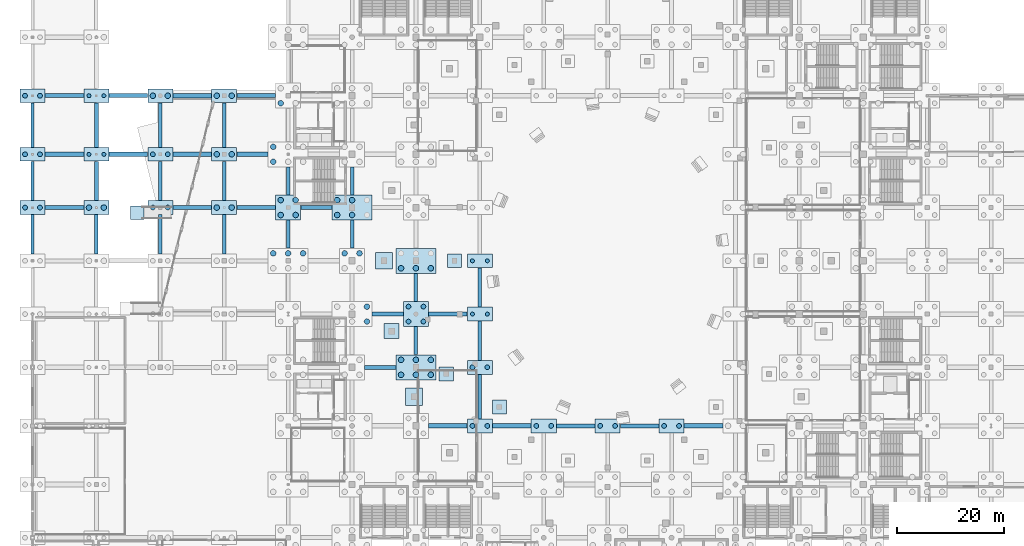
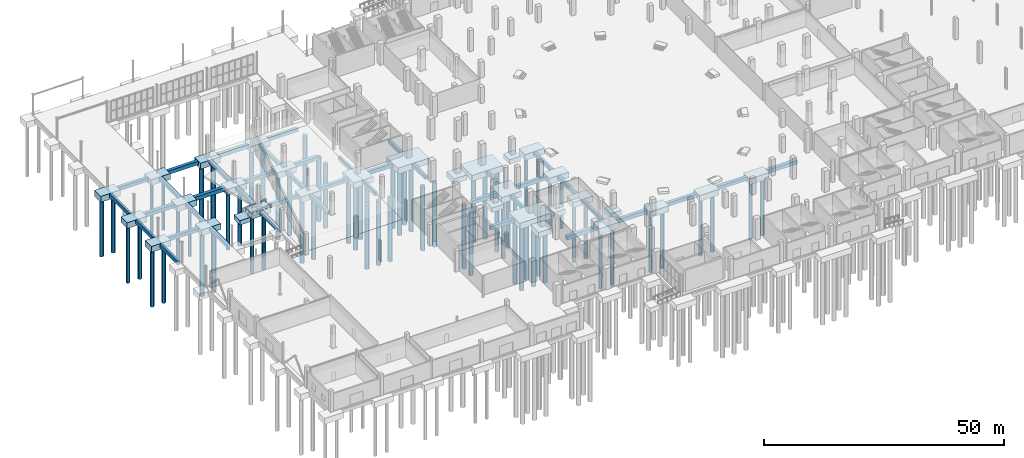
# One storey, part 3 of 70: 72 footings, 69 piles.
"""IFC4 building model written with IfcOpenShell, lengths in metres."""

import ifcopenshell
import ifcopenshell.guid

model = None  # the IFC model being written
_history = None  # IfcOwnerHistory: only IFC2X3 demands one
_inside = {}  # id of a spatial element -> (the spatial element, [elements in it])
_under = {}  # id of a project, library or spatial element -> (it, [spatial elements below it])
_declared = {}  # id of a project -> (the project, [libraries it declares])
_typed = {}  # id of a type object -> (the type object, [elements of that type])
_made_of = {}  # id of a material, layer set ... -> (it, [elements and type objects made of it])


def new_model(schema):
    """Start an empty IFC model of exactly this schema.

    Asked for "IFC4X3", IfcOpenShell would pick the latest addendum, in which some entities
    have other attributes; the version numbers below select the first issue.
    IFC2X3 requires an IfcOwnerHistory on every rooted entity: one is made here for all.
    """
    global model, _history
    if schema == "IFC4X3":
        model = ifcopenshell.file(schema_version=(4, 3, 0, 0))
    else:
        model = ifcopenshell.file(schema=schema)
    _inside.clear()
    _under.clear()
    _declared.clear()
    _typed.clear()
    _made_of.clear()
    _history = None
    if model.schema == "IFC2X3":
        org = make("IfcOrganization", Name="unknown")
        user = make(
            "IfcPersonAndOrganization",
            ThePerson=make("IfcPerson", FamilyName="unknown"),
            TheOrganization=org,
        )
        app = make(
            "IfcApplication",
            ApplicationDeveloper=org,
            Version="unknown",
            ApplicationFullName="unknown",
            ApplicationIdentifier="unknown",
        )
        _history = make(
            "IfcOwnerHistory",
            OwningUser=user,
            OwningApplication=app,
            ChangeAction="ADDED",
            CreationDate=0,
        )
    return model


def make(cls, **values):
    """One entity of the class cls with the attributes given. An attribute that is None is left unset."""
    return model.create_entity(
        cls, **{name: value for name, value in values.items() if value is not None}
    )


def rooted(cls, **values):
    """An entity with a GlobalId (a new one), such as an element, a storey or a relation."""
    return make(cls, GlobalId=ifcopenshell.guid.new(), OwnerHistory=_history, **values)


def si_unit(unit_type, name, prefix=None):
    """IfcSIUnit, for example si_unit("LENGTHUNIT", "METRE", prefix="MILLI")."""
    return make("IfcSIUnit", UnitType=unit_type, Prefix=prefix, Name=name)


def assignment(units):
    """IfcUnitAssignment: the units of a project."""
    return None if units is None else make("IfcUnitAssignment", Units=units)


def point(xyz):
    """IfcCartesianPoint."""
    return None if xyz is None else make("IfcCartesianPoint", Coordinates=xyz)


def direction(xyz):
    """IfcDirection."""
    return None if xyz is None else make("IfcDirection", DirectionRatios=xyz)


def frame(location, z_axis=None, x_axis=None):
    """IfcAxis2Placement3D, a coordinate frame: its origin and axes. An axis left out is left unset."""
    return make(
        "IfcAxis2Placement3D",
        Location=point(location),
        Axis=direction(z_axis),
        RefDirection=direction(x_axis),
    )


def frame_2d(location, x_axis=None):
    """IfcAxis2Placement2D, a coordinate frame in the plane: its origin and x axis."""
    return make(
        "IfcAxis2Placement2D", Location=point(location), RefDirection=direction(x_axis)
    )


def origin():
    """The frame at (0, 0, 0) with its axes left unset."""
    return frame((0.0, 0.0, 0.0))


def origin_2d():
    """The frame at (0, 0) in the plane with its x axis left unset."""
    return frame_2d((0.0, 0.0))


def place(relative_to, where):
    """IfcLocalPlacement: puts the frame where relative to a parent placement (None: the world)."""
    return make(
        "IfcLocalPlacement", PlacementRelTo=relative_to, RelativePlacement=where
    )


def context(
    kind, dimensions, precision=None, world=None, true_north=None, identifier=None
):
    """IfcGeometricRepresentationContext, for example the 3D "Model" context."""
    return make(
        "IfcGeometricRepresentationContext",
        ContextIdentifier=identifier,
        ContextType=kind,
        CoordinateSpaceDimension=dimensions,
        Precision=precision,
        WorldCoordinateSystem=world,
        TrueNorth=true_north,
    )


def subcontext(parent, identifier, kind, view, scale=None):
    """IfcGeometricRepresentationSubContext, for example "Body" below "Model"."""
    return make(
        "IfcGeometricRepresentationSubContext",
        ContextIdentifier=identifier,
        ContextType=kind,
        ParentContext=parent,
        TargetScale=scale,
        TargetView=view,
    )


def project(units=None, contexts=None):
    """IfcProject with its units and contexts."""
    return rooted(
        "IfcProject",
        Name="project",
        RepresentationContexts=contexts,
        UnitsInContext=assignment(units),
    )


def spatial(cls, under=None, at=None, **own):
    """A site, building, storey or space (cls), placed at a placement, below another one or the project."""
    s = rooted(cls, ObjectPlacement=at, **own)
    if under is not None:
        _under.setdefault(under.id(), (under, []))[1].append(s)
    return s


def profile(cls, at=None, kind="AREA", **sizes):
    """A parametric profile (cls). Its sizes go by their IFC names, for example OverallWidth=200.0."""
    return make(cls, ProfileType=kind, Position=at, **sizes)


def rectangle(**sizes):
    """IfcRectangleProfileDef."""
    return profile("IfcRectangleProfileDef", **sizes)


def circle(**sizes):
    """IfcCircleProfileDef."""
    return profile("IfcCircleProfileDef", **sizes)


def extrude(swept, where, along, depth):
    """IfcExtrudedAreaSolid: the profile swept, set in the frame where, extruded along a direction by depth."""
    return make(
        "IfcExtrudedAreaSolid",
        SweptArea=swept,
        Position=where,
        ExtrudedDirection=direction(along),
        Depth=depth,
    )


def shape(context_of_items, identifier, shape_type, items):
    """IfcShapeRepresentation: the items that make up one representation, for example the "Body"."""
    return make(
        "IfcShapeRepresentation",
        ContextOfItems=context_of_items,
        RepresentationIdentifier=identifier,
        RepresentationType=shape_type,
        Items=items,
    )


def material(Name=None, Category=None):
    """IfcMaterial."""
    return make("IfcMaterial", Name=Name, Category=Category)


def layer(
    of_material, thickness, ventilated=None, Name=None, Category=None, Priority=None
):
    """IfcMaterialLayer: one layer of a wall or slab, of a material (None: an air gap)."""
    return make(
        "IfcMaterialLayer",
        Material=of_material,
        LayerThickness=thickness,
        IsVentilated=ventilated,
        Name=Name,
        Category=Category,
        Priority=Priority,
    )


def layer_set(layers, Name=None):
    """IfcMaterialLayerSet."""
    return make("IfcMaterialLayerSet", MaterialLayers=layers, LayerSetName=Name)


def material_profile(
    of_material, cross_section, Name=None, Category=None, Priority=None
):
    """IfcMaterialProfile: a cross section and its material."""
    return make(
        "IfcMaterialProfile",
        Name=Name,
        Material=of_material,
        Profile=cross_section,
        Priority=Priority,
        Category=Category,
    )


def profile_set(profiles, Name=None, composite=None):
    """IfcMaterialProfileSet."""
    return make(
        "IfcMaterialProfileSet",
        Name=Name,
        MaterialProfiles=profiles,
        CompositeProfile=composite,
    )


def made_of(thing, what):
    """Note that an element or type object is made of a material, layer set ...; save() writes the relation."""
    if what is not None:
        _made_of.setdefault(what.id(), (what, []))[1].append(thing)
    return thing


def type_object(cls, material=None, **own):
    """A type object (cls), such as IfcWallType, which elements share."""
    return made_of(rooted(cls, **own), material)


def element(
    cls,
    number,
    at=None,
    inside=None,
    cuts=None,
    type_object=None,
    material=None,
    context=None,
    identifier="Body",
    shape_type=None,
    held_by="IfcProductDefinitionShape",
    body=None,
    shapes=None,
    **own,
):
    """One element of the class cls, such as IfcWall. Its Tag is "e" and its number.

    at: its placement. inside: the storey or other place that contains it. cuts: it is an
    opening in that element (IfcRelVoidsElement). A single representation is given by context,
    identifier, shape_type and body (its items); several are given by shapes. held_by: the class
    of the entity that holds the representations. save() writes the other relations.
    """
    e = rooted(cls, Tag="e%d" % number, ObjectPlacement=at, **own)
    if body is not None:
        shapes = [shape(context, identifier, shape_type, body)]
    if shapes is not None:
        e.Representation = make(held_by, Representations=shapes)
    if inside is not None:
        _inside.setdefault(inside.id(), (inside, []))[1].append(e)
    if cuts is not None:
        rooted(
            "IfcRelVoidsElement", RelatingBuildingElement=cuts, RelatedOpeningElement=e
        )
    if type_object is not None:
        _typed.setdefault(type_object.id(), (type_object, []))[1].append(e)
    return made_of(e, material)


def aggregate(whole, parts):
    """IfcRelAggregates: a whole, such as a stair, and the parts it consists of."""
    return rooted("IfcRelAggregates", RelatingObject=whole, RelatedObjects=parts)


def save(model, path):
    """Write the relations noted so far, then the file.

    IfcRelAggregates (storeys below a building ...), IfcRelContainedInSpatialStructure (elements
    in a storey), IfcRelDefinesByType, IfcRelAssociatesMaterial and IfcRelDeclares: one each for
    every whole, place, type object, material and project.
    """
    for whole, parts in _under.values():
        aggregate(whole, parts)
    for where, things in _inside.values():
        rooted(
            "IfcRelContainedInSpatialStructure",
            RelatedElements=things,
            RelatingStructure=where,
        )
    for kind, things in _typed.values():
        rooted("IfcRelDefinesByType", RelatedObjects=things, RelatingType=kind)
    for what, things in _made_of.values():
        rooted("IfcRelAssociatesMaterial", RelatedObjects=things, RelatingMaterial=what)
    for by, libraries in _declared.values():
        rooted("IfcRelDeclares", RelatingContext=by, RelatedDefinitions=libraries)
    model.write(path)


model = new_model("IFC4")

# Units and contexts
model_context = context("Model", 3, precision=1e-05, world=origin(), true_north=direction((0.0, 1.0)))
body_context = subcontext(model_context, "Body", "Model", "MODEL_VIEW")
ifc_project = project(units=[si_unit("LENGTHUNIT", "METRE"), si_unit("AREAUNIT", "SQUARE_METRE"), si_unit("VOLUMEUNIT", "CUBIC_METRE"), si_unit("PLANEANGLEUNIT", "RADIAN"), si_unit("MASSUNIT", "GRAM", prefix="KILO")], contexts=[model_context])

# Site, building, storey
site_placement = place(None, origin())
site = spatial("IfcSite", under=ifc_project, at=site_placement, CompositionType="ELEMENT")
building_placement = place(site_placement, origin())
building = spatial("IfcBuilding", under=site, at=building_placement, Name="Brinegate Civic Arena", CompositionType="ELEMENT")
storey_placement = place(building_placement, origin())
storey = spatial("IfcBuildingStorey", under=building, at=storey_placement, Name="L00", CompositionType="ELEMENT", Elevation=0.0)

# Footings
ifc_material = material(Name="Concrete C40/50", Category="concrete")
ifc_layer_1 = layer(ifc_material, 1.5, Name="Concrete C40/50")
ifc_layer_set_1 = layer_set([ifc_layer_1], Name="Concrete C40/50")
footing_type_1 = type_object("IfcFootingType", Name="CAP-2PILE-3800", PredefinedType="PILE_CAP", material=ifc_layer_set_1)
for number, where, z_axis, x_axis, name in (
    (1, (0.0, 72.0, -1.800048828125), (0.0, 0.0, 1.0), (1.0, 0.0, 0.0), "Pile Cap CAP-008 (1-H)"),
    (2, (0.0, 82.0, -1.800048828125), (0.0, 0.0, 1.0), (1.0, 0.0, 0.0), "Pile Cap CAP-009 (1-J)"),
    (3, (0.0, 93.0, -1.800048828125), (0.0, 0.0, 1.0), (1.0, 0.0, 0.0), "Pile Cap CAP-010 (1-K)"),
    (4, (12.0, 72.0, -1.800048828125), (0.0, 0.0, 1.0), (1.0, 0.0, 0.0), "Pile Cap CAP-021 (2-H)"),
    (5, (12.0, 82.0, -1.800048828125), (0.0, 0.0, 1.0), (1.0, 0.0, 0.0), "Pile Cap CAP-022 (2-J)"),
    (6, (12.0, 93.0, -1.800048828125), (0.0, 0.0, 1.0), (1.0, 0.0, 0.0), "Pile Cap CAP-023 (2-K)"),
    (7, (24.0, 72.0, -1.800048828125), (0.0, 0.0, 1.0), (1.0, 0.0, 0.0), "Pile Cap CAP-032 (3-H)"),
    (8, (24.0, 82.0, -1.800048828125), (0.0, 0.0, 1.0), (1.0, 0.0, 0.0), "Pile Cap CAP-033 (3-J)"),
    (9, (24.0, 93.0, -1.800048828125), (0.0, 0.0, 1.0), (1.0, 0.0, 0.0), "Pile Cap CAP-034 (3-K)"),
    (10, (36.0, 72.0, -1.800048828125), (0.0, 0.0, 1.0), (1.0, 0.0, 0.0), "Pile Cap CAP-042 (4-H)"),
    (11, (36.0, 82.0, -1.800048828125), (0.0, 0.0, 1.0), (1.0, 0.0, 0.0), "Pile Cap CAP-043 (4-J)"),
    (12, (36.0, 93.0, -1.800048828125), (0.0, 0.0, 1.0), (1.0, 0.0, 0.0), "Pile Cap CAP-044 (4-K)"),
    (13, (84.0, 31.0, -1.800048828125), (0.0, 0.0, 1.0), (1.0, 0.0, 0.0), "Pile Cap CAP-087 (8-D)"),
    (14, (84.0, 42.0, -1.800048828125), (0.0, 0.0, 1.0), (1.0, 0.0, 0.0), "Pile Cap CAP-088 (8-E)"),
    (15, (84.0, 52.0, -1.800048828125), (0.0, 0.0, 1.0), (1.0, 0.0, 0.0), "Pile Cap CAP-089 (8-F)"),
    (16, (84.0, 62.0, -1.800048828125), (0.0, 0.0, 1.0), (1.0, 0.0, 0.0), "Pile Cap CAP-090 (8-G)"),
    (17, (96.0, 31.0, -1.800048828125), (0.0, 0.0, 1.0), (1.0, 0.0, 0.0), "Pile Cap CAP-100 (9-D)"),
    (18, (108.0, 31.0, -1.800048828125), (0.0, 0.0, 1.0), (1.0, 0.0, 0.0), "Pile Cap CAP-108 (10-D)"),
    (19, (120.0, 31.0, -1.800048828125), (0.0, 0.0, 1.0), (1.0, 0.0, 0.0), "Pile Cap CAP-116 (11-D)"),
):
    element("IfcFooting", number, at=place(storey_placement, frame(where, z_axis=z_axis, x_axis=x_axis)), inside=storey, type_object=footing_type_1, Name=name, PredefinedType="PILE_CAP", context=body_context, shape_type="SweptSolid", body=[
        extrude(rectangle(XDim=4.699951171875, YDim=2.60009765625, at=origin_2d()), origin(), (0.0, 0.0, 1.0), 1.5),
    ])
ifc_layer_2 = layer(ifc_material, 1.5, Name="Concrete C40/50")
ifc_layer_set_2 = layer_set([ifc_layer_2], Name="Concrete C40/50")
footing_type_2 = type_object("IfcFootingType", Name="CAP-4PILE-3800", PredefinedType="PILE_CAP", material=ifc_layer_set_2)
for number, where, z_axis, x_axis, name in (
    (20, (48.0, 72.0, -1.800048828125), (0.0, 0.0, 1.0), (1.0, 0.0, 0.0), "Pile Cap CAP-054 (5-H)"),
    (21, (72.0, 52.0, -1.800048828125), (0.0, 0.0, 1.0), (1.0, 0.0, 0.0), "Pile Cap CAP-077 (7-F)"),
):
    element("IfcFooting", number, at=place(storey_placement, frame(where, z_axis=z_axis, x_axis=x_axis)), inside=storey, type_object=footing_type_2, Name=name, PredefinedType="PILE_CAP", context=body_context, shape_type="SweptSolid", body=[
        extrude(rectangle(XDim=4.699951171875, YDim=4.699951171875, at=origin_2d()), origin(), (0.0, 0.0, 1.0), 1.5),
    ])
ifc_layer_3 = layer(ifc_material, 1.5, Name="Concrete C40/50")
ifc_layer_set_3 = layer_set([ifc_layer_3], Name="Concrete C40/50")
footing_type_3 = type_object("IfcFootingType", Name="CAP-6PILE-5400", PredefinedType="PILE_CAP", material=ifc_layer_set_3)
for number, where, z_axis, x_axis, name in (
    (22, (60.0, 72.0, -1.800048828125), (0.0, 0.0, 1.0), (1.0, 0.0, 0.0), "Pile Cap CAP-067 (6-H)"),
    (23, (72.0, 42.0, -1.800048828125), (0.0, 0.0, 1.0), (1.0, 0.0, 0.0), "Pile Cap CAP-076 (7-E)"),
    (24, (72.0, 62.0, -1.800048828125), (0.0, 0.0, 1.0), (1.0, 0.0, 0.0), "Pile Cap CAP-078 (7-G)"),
):
    element("IfcFooting", number, at=place(storey_placement, frame(where, z_axis=z_axis, x_axis=x_axis)), inside=storey, type_object=footing_type_3, Name=name, PredefinedType="PILE_CAP", context=body_context, shape_type="SweptSolid", body=[
        extrude(rectangle(XDim=7.5, YDim=4.699951171875, at=origin_2d()), origin(), (0.0, 0.0, 1.0), 1.5),
    ])
ifc_layer_4 = layer(ifc_material, 1.14990234375, Name="Concrete C40/50")
ifc_layer_set_4 = layer_set([ifc_layer_4], Name="Concrete C40/50")
footing_type_4 = type_object("IfcFootingType", Name="PAD-FOOT-2500", PredefinedType="PAD_FOOTING", material=ifc_layer_set_4)
footing_1_placement = place(storey_placement, frame((19.64990234375, 71.050048828125, -1.598876953125), z_axis=(0.0, 0.0, 1.0), x_axis=(1.0, 0.0, 0.0)))
element("IfcFooting", 25, at=footing_1_placement, inside=storey, type_object=footing_type_4, Name="Ramp Toe Pad Footing PAD-034", PredefinedType="PAD_FOOTING", context=body_context, shape_type="SweptSolid", body=[
    extrude(rectangle(XDim=2.5, YDim=2.5, at=origin_2d()), origin(), (0.0, 0.0, 1.0), 1.14990234375),
])
ifc_layer_5 = layer(ifc_material, 1.199951171875, Name="Concrete C40/50")
ifc_layer_set_5 = layer_set([ifc_layer_5], Name="Concrete C40/50")
footing_type_5 = type_object("IfcFootingType", Name="PAD-FOOT-2600", PredefinedType="PAD_FOOTING", material=ifc_layer_set_5)
for number, where, z_axis, x_axis, name in (
    (26, (79.25, 62.0, -1.5), (0.0, 0.0, 1.0), (1.0, 0.0, 0.0), "Pad Footing PAD-006"),
    (27, (87.6708984375, 34.555908203125, -1.5), (0.0, 0.0, 1.0), (1.0, 0.0, 0.0), "Pad Footing PAD-007"),
):
    element("IfcFooting", number, at=place(storey_placement, frame(where, z_axis=z_axis, x_axis=x_axis)), inside=storey, type_object=footing_type_5, Name=name, PredefinedType="PAD_FOOTING", context=body_context, shape_type="SweptSolid", body=[
        extrude(rectangle(XDim=2.60009765625, YDim=2.60009765625, at=origin_2d()), origin(), (0.0, 0.0, 1.0), 1.199951171875),
    ])
ifc_layer_6 = layer(ifc_material, 1.199951171875, Name="Concrete C40/50")
ifc_layer_set_6 = layer_set([ifc_layer_6], Name="Concrete C40/50")
footing_type_6 = type_object("IfcFootingType", Name="PAD-FOOT-2700", PredefinedType="PAD_FOOTING", material=ifc_layer_set_6)
footing_2_placement = place(storey_placement, frame((77.68896484375, 40.75, -1.5), z_axis=(0.0, 0.0, 1.0), x_axis=(1.0, 0.0, 0.0)))
element("IfcFooting", 28, at=footing_2_placement, inside=storey, type_object=footing_type_6, Name="Pad Footing PAD-015", PredefinedType="PAD_FOOTING", context=body_context, shape_type="SweptSolid", body=[
    extrude(rectangle(XDim=2.699951171875, YDim=2.699951171875, at=origin_2d()), origin(), (0.0, 0.0, 1.0), 1.199951171875),
])
ifc_layer_7 = layer(ifc_material, 1.199951171875, Name="Concrete C40/50")
ifc_layer_set_7 = layer_set([ifc_layer_7], Name="Concrete C40/50")
footing_type_7 = type_object("IfcFootingType", Name="PAD-FOOT-2800", PredefinedType="PAD_FOOTING", material=ifc_layer_set_7)
footing_3_placement = place(storey_placement, frame((67.430908203125, 48.800048828125, -1.5), z_axis=(0.0, 0.0, 1.0), x_axis=(1.0, 0.0, 0.0)))
element("IfcFooting", 29, at=footing_3_placement, inside=storey, type_object=footing_type_7, Name="Pad Footing PAD-027", PredefinedType="PAD_FOOTING", context=body_context, shape_type="SweptSolid", body=[
    extrude(rectangle(XDim=2.800048828125, YDim=2.800048828125, at=origin_2d()), origin(), (0.0, 0.0, 1.0), 1.199951171875),
])
ifc_layer_8 = layer(ifc_material, 1.300048828125, Name="Concrete C40/50")
ifc_layer_set_8 = layer_set([ifc_layer_8], Name="Concrete C40/50")
footing_type_8 = type_object("IfcFootingType", Name="PAD-FOOT-3100", PredefinedType="PAD_FOOTING", material=ifc_layer_set_8)
footing_4_placement = place(storey_placement, frame((66.0, 62.0, -1.60009765625), z_axis=(0.0, 0.0, 1.0), x_axis=(1.0, 0.0, 0.0)))
element("IfcFooting", 30, at=footing_4_placement, inside=storey, type_object=footing_type_8, Name="Pad Footing PAD-026", PredefinedType="PAD_FOOTING", context=body_context, shape_type="SweptSolid", body=[
    extrude(rectangle(XDim=3.10009765625, YDim=3.10009765625, at=origin_2d()), origin(), (0.0, 0.0, 1.0), 1.300048828125),
])
ifc_layer_9 = layer(ifc_material, 1.35009765625, Name="Concrete C40/50")
ifc_layer_set_9 = layer_set([ifc_layer_9], Name="Concrete C40/50")
footing_type_9 = type_object("IfcFootingType", Name="PAD-FOOT-3250", PredefinedType="PAD_FOOTING", material=ifc_layer_set_9)
footing_5_placement = place(storey_placement, frame((71.626953125, 36.5, -1.650146484375), z_axis=(0.0, 0.0, 1.0), x_axis=(1.0, 0.0, 0.0)))
element("IfcFooting", 31, at=footing_5_placement, inside=storey, type_object=footing_type_9, Name="Pad Footing PAD-028", PredefinedType="PAD_FOOTING", context=body_context, shape_type="SweptSolid", body=[
    extrude(rectangle(XDim=3.25, YDim=3.25, at=origin_2d()), origin(), (0.0, 0.0, 1.0), 1.35009765625),
])

# Piles
ifc_material_profile_1 = material_profile(ifc_material, circle(Radius=0.52490234375, at=origin_2d()), Name="PILED1050")
ifc_profile_set_1 = profile_set([ifc_material_profile_1], Name="Concrete C40/50")
pile_type_1 = type_object("IfcPileType", Name="PILE-BORED-1050", PredefinedType="BORED", material=ifc_profile_set_1)
for number, where, z_axis, x_axis, name in (
    (32, (10.60009765625, 72.0, -1.699951171875), (0.0, 0.0, -1.0), (1.0, 0.0, 0.0), "Bored Socket Pile PIL-0041"),
    (33, (13.39990234375, 72.0, -1.699951171875), (0.0, 0.0, -1.0), (1.0, 0.0, 0.0), "Bored Socket Pile PIL-0042"),
    (34, (22.60009765625, 93.0, -1.699951171875), (0.0, 0.0, -1.0), (1.0, 0.0, 0.0), "Bored Socket Pile PIL-0067"),
    (35, (25.39990234375, 93.0, -1.699951171875), (0.0, 0.0, -1.0), (1.0, 0.0, 0.0), "Bored Socket Pile PIL-0068"),
    (36, (34.60009765625, 72.0, -1.699951171875), (0.0, 0.0, -1.0), (1.0, 0.0, 0.0), "Bored Socket Pile PIL-0083"),
    (37, (37.39990234375, 72.0, -1.699951171875), (0.0, 0.0, -1.0), (1.0, 0.0, 0.0), "Bored Socket Pile PIL-0084"),
    (38, (34.60009765625, 82.0, -1.699951171875), (0.0, 0.0, -1.0), (1.0, 0.0, 0.0), "Bored Socket Pile PIL-0085"),
    (39, (37.39990234375, 82.0, -1.699951171875), (0.0, 0.0, -1.0), (1.0, 0.0, 0.0), "Bored Socket Pile PIL-0086"),
    (40, (34.60009765625, 93.0, -1.699951171875), (0.0, 0.0, -1.0), (1.0, 0.0, 0.0), "Bored Socket Pile PIL-0087"),
    (41, (37.39990234375, 93.0, -1.699951171875), (0.0, 0.0, -1.0), (1.0, 0.0, 0.0), "Bored Socket Pile PIL-0088"),
    (42, (45.199951171875, 63.39990234375, -1.699951171875), (0.0, 0.0, -1.0), (1.0, 0.0, 0.0), "Bored Socket Pile PIL-0126"),
    (43, (48.0, 63.39990234375, -1.699951171875), (0.0, 0.0, -1.0), (1.0, 0.0, 0.0), "Bored Socket Pile PIL-0127"),
    (44, (50.800048828125, 63.39990234375, -1.699951171875), (0.0, 0.0, -1.0), (1.0, 0.0, 0.0), "Bored Socket Pile PIL-0128"),
    (45, (46.60009765625, 70.60009765625, -1.699951171875), (0.0, 0.0, -1.0), (1.0, 0.0, 0.0), "Bored Socket Pile PIL-0129"),
    (46, (49.39990234375, 70.60009765625, -1.699951171875), (0.0, 0.0, -1.0), (1.0, 0.0, 0.0), "Bored Socket Pile PIL-0130"),
    (47, (46.60009765625, 73.39990234375, -1.699951171875), (0.0, 0.0, -1.0), (1.0, 0.0, 0.0), "Bored Socket Pile PIL-0131"),
    (48, (49.39990234375, 73.39990234375, -1.699951171875), (0.0, 0.0, -1.0), (1.0, 0.0, 0.0), "Bored Socket Pile PIL-0132"),
    (49, (45.199951171875, 80.60009765625, -1.699951171875), (0.0, 0.0, -1.0), (1.0, 0.0, 0.0), "Bored Socket Pile PIL-0133"),
    (50, (45.199951171875, 83.39990234375, -1.699951171875), (0.0, 0.0, -1.0), (1.0, 0.0, 0.0), "Bored Socket Pile PIL-0136"),
    (51, (46.60009765625, 91.60009765625, -1.699951171875), (0.0, 0.0, -1.0), (1.0, 0.0, 0.0), "Bored Socket Pile PIL-0139"),
    (52, (62.800048828125, 50.60009765625, -1.699951171875), (0.0, 0.0, -1.0), (1.0, 0.0, 0.0), "Bored Socket Pile PIL-0185"),
    (53, (62.800048828125, 53.39990234375, -1.699951171875), (0.0, 0.0, -1.0), (1.0, 0.0, 0.0), "Bored Socket Pile PIL-0188"),
    (54, (58.60009765625, 63.39990234375, -1.699951171875), (0.0, 0.0, -1.0), (1.0, 0.0, 0.0), "Bored Socket Pile PIL-0191"),
    (55, (61.39990234375, 63.39990234375, -1.699951171875), (0.0, 0.0, -1.0), (1.0, 0.0, 0.0), "Bored Socket Pile PIL-0192"),
    (56, (57.199951171875, 70.60009765625, -1.699951171875), (0.0, 0.0, -1.0), (1.0, 0.0, 0.0), "Bored Socket Pile PIL-0193"),
    (57, (60.0, 70.60009765625, -1.699951171875), (0.0, 0.0, -1.0), (1.0, 0.0, 0.0), "Bored Socket Pile PIL-0194"),
    (58, (57.199951171875, 73.39990234375, -1.699951171875), (0.0, 0.0, -1.0), (1.0, 0.0, 0.0), "Bored Socket Pile PIL-0196"),
    (59, (60.0, 73.39990234375, -1.699951171875), (0.0, 0.0, -1.0), (1.0, 0.0, 0.0), "Bored Socket Pile PIL-0197"),
    (60, (69.199951171875, 40.60009765625, -1.699951171875), (0.0, 0.0, -1.0), (1.0, 0.0, 0.0), "Bored Socket Pile PIL-0237"),
    (61, (72.0, 40.60009765625, -1.699951171875), (0.0, 0.0, -1.0), (1.0, 0.0, 0.0), "Bored Socket Pile PIL-0238"),
    (62, (74.800048828125, 40.60009765625, -1.699951171875), (0.0, 0.0, -1.0), (1.0, 0.0, 0.0), "Bored Socket Pile PIL-0239"),
    (63, (69.199951171875, 43.39990234375, -1.699951171875), (0.0, 0.0, -1.0), (1.0, 0.0, 0.0), "Bored Socket Pile PIL-0240"),
    (64, (72.0, 43.39990234375, -1.699951171875), (0.0, 0.0, -1.0), (1.0, 0.0, 0.0), "Bored Socket Pile PIL-0241"),
    (65, (74.800048828125, 43.39990234375, -1.699951171875), (0.0, 0.0, -1.0), (1.0, 0.0, 0.0), "Bored Socket Pile PIL-0242"),
    (66, (69.199951171875, 60.60009765625, -1.699951171875), (0.0, 0.0, -1.0), (1.0, 0.0, 0.0), "Bored Socket Pile PIL-0247"),
    (67, (72.0, 60.60009765625, -1.699951171875), (0.0, 0.0, -1.0), (1.0, 0.0, 0.0), "Bored Socket Pile PIL-0248"),
    (68, (74.800048828125, 60.60009765625, -1.699951171875), (0.0, 0.0, -1.0), (1.0, 0.0, 0.0), "Bored Socket Pile PIL-0249"),
):
    element("IfcPile", number, at=place(storey_placement, frame(where, z_axis=z_axis, x_axis=x_axis)), inside=storey, type_object=pile_type_1, Name=name, PredefinedType="BORED", context=body_context, shape_type="SweptSolid", body=[
        extrude(circle(Radius=0.52490234375, at=origin_2d()), origin(), (0.0, 0.0, 1.0), 16.300048828125),
    ])
ifc_material_profile_2 = material_profile(ifc_material, circle(Radius=0.375, at=origin_2d()), Name="PILED750")
ifc_profile_set_2 = profile_set([ifc_material_profile_2], Name="Concrete C40/50")
pile_type_2 = type_object("IfcPileType", Name="PILE-BORED-750", PredefinedType="BORED", material=ifc_profile_set_2)
for number, where, z_axis, x_axis, name in (
    (69, (10.60009765625, 82.0, -1.699951171875), (0.0, 0.0, -1.0), (1.0, 0.0, 0.0), "Bored Socket Pile PIL-0043"),
    (70, (13.39990234375, 82.0, -1.699951171875), (0.0, 0.0, -1.0), (1.0, 0.0, 0.0), "Bored Socket Pile PIL-0044"),
    (71, (10.60009765625, 93.0, -1.699951171875), (0.0, 0.0, -1.0), (1.0, 0.0, 0.0), "Bored Socket Pile PIL-0045"),
    (72, (13.39990234375, 93.0, -1.699951171875), (0.0, 0.0, -1.0), (1.0, 0.0, 0.0), "Bored Socket Pile PIL-0046"),
    (73, (82.60009765625, 52.0, -1.699951171875), (0.0, 0.0, -1.0), (1.0, 0.0, 0.0), "Bored Socket Pile PIL-0295"),
    (74, (85.39990234375, 52.0, -1.699951171875), (0.0, 0.0, -1.0), (1.0, 0.0, 0.0), "Bored Socket Pile PIL-0296"),
    (75, (82.60009765625, 62.0, -1.699951171875), (0.0, 0.0, -1.0), (1.0, 0.0, 0.0), "Bored Socket Pile PIL-0297"),
    (76, (85.39990234375, 62.0, -1.699951171875), (0.0, 0.0, -1.0), (1.0, 0.0, 0.0), "Bored Socket Pile PIL-0298"),
):
    element("IfcPile", number, at=place(storey_placement, frame(where, z_axis=z_axis, x_axis=x_axis)), inside=storey, type_object=pile_type_2, Name=name, PredefinedType="BORED", context=body_context, shape_type="SweptSolid", body=[
        extrude(circle(Radius=0.375, at=origin_2d()), origin(), (0.0, 0.0, 1.0), 13.300048828125),
    ])
ifc_material_profile_3 = material_profile(ifc_material, circle(Radius=0.449951171875, at=origin_2d()), Name="PILED900")
ifc_profile_set_3 = profile_set([ifc_material_profile_3], Name="Concrete C40/50")
pile_type_3 = type_object("IfcPileType", Name="PILE-BORED-900", PredefinedType="BORED", material=ifc_profile_set_3)
for number, where, z_axis, x_axis, name in (
    (77, (-1.39990234375, 72.0, -1.699951171875), (0.0, 0.0, -1.0), (1.0, 0.0, 0.0), "Bored Socket Pile PIL-0015"),
    (78, (1.39990234375, 72.0, -1.699951171875), (0.0, 0.0, -1.0), (1.0, 0.0, 0.0), "Bored Socket Pile PIL-0016"),
    (79, (-1.39990234375, 82.0, -1.699951171875), (0.0, 0.0, -1.0), (1.0, 0.0, 0.0), "Bored Socket Pile PIL-0017"),
    (80, (1.39990234375, 82.0, -1.699951171875), (0.0, 0.0, -1.0), (1.0, 0.0, 0.0), "Bored Socket Pile PIL-0018"),
    (81, (-1.39990234375, 93.0, -1.699951171875), (0.0, 0.0, -1.0), (1.0, 0.0, 0.0), "Bored Socket Pile PIL-0019"),
    (82, (1.39990234375, 93.0, -1.699951171875), (0.0, 0.0, -1.0), (1.0, 0.0, 0.0), "Bored Socket Pile PIL-0020"),
    (83, (22.60009765625, 72.0, -1.699951171875), (0.0, 0.0, -1.0), (1.0, 0.0, 0.0), "Bored Socket Pile PIL-0063"),
    (84, (25.39990234375, 72.0, -1.699951171875), (0.0, 0.0, -1.0), (1.0, 0.0, 0.0), "Bored Socket Pile PIL-0064"),
    (85, (22.60009765625, 82.0, -1.699951171875), (0.0, 0.0, -1.0), (1.0, 0.0, 0.0), "Bored Socket Pile PIL-0065"),
    (86, (25.39990234375, 82.0, -1.699951171875), (0.0, 0.0, -1.0), (1.0, 0.0, 0.0), "Bored Socket Pile PIL-0066"),
    (87, (70.60009765625, 50.60009765625, -1.699951171875), (0.0, 0.0, -1.0), (1.0, 0.0, 0.0), "Bored Socket Pile PIL-0243"),
    (88, (73.39990234375, 50.60009765625, -1.699951171875), (0.0, 0.0, -1.0), (1.0, 0.0, 0.0), "Bored Socket Pile PIL-0244"),
    (89, (70.60009765625, 53.39990234375, -1.699951171875), (0.0, 0.0, -1.0), (1.0, 0.0, 0.0), "Bored Socket Pile PIL-0245"),
    (90, (73.39990234375, 53.39990234375, -1.699951171875), (0.0, 0.0, -1.0), (1.0, 0.0, 0.0), "Bored Socket Pile PIL-0246"),
    (91, (82.60009765625, 31.0, -1.699951171875), (0.0, 0.0, -1.0), (1.0, 0.0, 0.0), "Bored Socket Pile PIL-0291"),
    (92, (85.39990234375, 31.0, -1.699951171875), (0.0, 0.0, -1.0), (1.0, 0.0, 0.0), "Bored Socket Pile PIL-0292"),
    (93, (82.60009765625, 42.0, -1.699951171875), (0.0, 0.0, -1.0), (1.0, 0.0, 0.0), "Bored Socket Pile PIL-0293"),
    (94, (85.39990234375, 42.0, -1.699951171875), (0.0, 0.0, -1.0), (1.0, 0.0, 0.0), "Bored Socket Pile PIL-0294"),
    (95, (94.60009765625, 31.0, -1.699951171875), (0.0, 0.0, -1.0), (1.0, 0.0, 0.0), "Bored Socket Pile PIL-0335"),
    (96, (97.39990234375, 31.0, -1.699951171875), (0.0, 0.0, -1.0), (1.0, 0.0, 0.0), "Bored Socket Pile PIL-0336"),
    (97, (106.60009765625, 31.0, -1.699951171875), (0.0, 0.0, -1.0), (1.0, 0.0, 0.0), "Bored Socket Pile PIL-0369"),
    (98, (109.39990234375, 31.0, -1.699951171875), (0.0, 0.0, -1.0), (1.0, 0.0, 0.0), "Bored Socket Pile PIL-0370"),
    (99, (118.60009765625, 31.0, -1.699951171875), (0.0, 0.0, -1.0), (1.0, 0.0, 0.0), "Bored Socket Pile PIL-0403"),
    (100, (121.39990234375, 31.0, -1.699951171875), (0.0, 0.0, -1.0), (1.0, 0.0, 0.0), "Bored Socket Pile PIL-0404"),
):
    element("IfcPile", number, at=place(storey_placement, frame(where, z_axis=z_axis, x_axis=x_axis)), inside=storey, type_object=pile_type_3, Name=name, PredefinedType="BORED", context=body_context, shape_type="SweptSolid", body=[
        extrude(circle(Radius=0.449951171875, at=origin_2d()), origin(), (0.0, 0.0, 1.0), 14.800048828125),
    ])

# Footings
ifc_layer_10 = layer(ifc_material, 0.89990234375, Name="Concrete C40/50")
ifc_layer_set_10 = layer_set([ifc_layer_10], Name="Concrete C40/50")
footing_type_10 = type_object("IfcFootingType", Name="TIE-BEAM-650X900", PredefinedType="FOOTING_BEAM", material=ifc_layer_set_10)
for number, where, z_axis, x_axis, name in (
    (101, (0.0, 67.0, -1.199951171875), (0.0, 0.0, 1.0), (0.0, 1.0, 0.0), "Ground Tie Beam GTB-014"),
    (102, (0.0, 77.0, -1.199951171875), (0.0, 0.0, 1.0), (0.0, 1.0, 0.0), "Ground Tie Beam GTB-016"),
):
    element("IfcFooting", number, at=place(storey_placement, frame(where, z_axis=z_axis, x_axis=x_axis)), inside=storey, type_object=footing_type_10, Name=name, PredefinedType="FOOTING_BEAM", context=body_context, shape_type="SweptSolid", body=[
        extrude(rectangle(XDim=7.360107421875, YDim=0.64990234375, at=origin_2d()), origin(), (0.0, 0.0, 1.0), 0.89990234375),
    ])
footing_6_placement = place(storey_placement, frame((0.0, 87.5, -1.199951171875), z_axis=(0.0, 0.0, 1.0), x_axis=(0.0, 1.0, 0.0)))
element("IfcFooting", 103, at=footing_6_placement, inside=storey, type_object=footing_type_10, Name="Ground Tie Beam GTB-018", PredefinedType="FOOTING_BEAM", context=body_context, shape_type="SweptSolid", body=[
    extrude(rectangle(XDim=8.360107421875, YDim=0.64990234375, at=origin_2d()), origin(), (0.0, 0.0, 1.0), 0.89990234375),
])
for number, where, z_axis, x_axis, name in (
    (104, (12.0, 67.0, -1.199951171875), (0.0, 0.0, 1.0), (0.0, 1.0, 0.0), "Ground Tie Beam GTB-036"),
    (105, (24.0, 67.0, -1.199951171875), (0.0, 0.0, 1.0), (0.0, 1.0, 0.0), "Ground Tie Beam GTB-054"),
    (106, (24.0, 77.0, -1.199951171875), (0.0, 0.0, 1.0), (0.0, 1.0, 0.0), "Ground Tie Beam GTB-056"),
):
    element("IfcFooting", number, at=place(storey_placement, frame(where, z_axis=z_axis, x_axis=x_axis)), inside=storey, type_object=footing_type_10, Name=name, PredefinedType="FOOTING_BEAM", context=body_context, shape_type="SweptSolid", body=[
        extrude(rectangle(XDim=7.360107421875, YDim=0.64990234375, at=origin_2d()), origin(), (0.0, 0.0, 1.0), 0.89990234375),
    ])
footing_7_placement = place(storey_placement, frame((24.0, 87.5, -1.199951171875), z_axis=(0.0, 0.0, 1.0), x_axis=(0.0, 1.0, 0.0)))
element("IfcFooting", 107, at=footing_7_placement, inside=storey, type_object=footing_type_10, Name="Ground Tie Beam GTB-058", PredefinedType="FOOTING_BEAM", context=body_context, shape_type="SweptSolid", body=[
    extrude(rectangle(XDim=8.360107421875, YDim=0.64990234375, at=origin_2d()), origin(), (0.0, 0.0, 1.0), 0.89990234375),
])
for number, where, z_axis, x_axis, name in (
    (108, (60.0, 67.0, -1.199951171875), (0.0, 0.0, 1.0), (0.0, 1.0, 0.0), "Ground Tie Beam GTB-116"),
    (109, (60.0, 77.0, -1.199951171875), (0.0, 0.0, 1.0), (0.0, 1.0, 0.0), "Ground Tie Beam GTB-118"),
    (110, (72.0, 47.0, -1.199951171875), (0.0, 0.0, 1.0), (0.0, 1.0, 0.0), "Ground Tie Beam GTB-132"),
    (111, (72.0, 57.0, -1.199951171875), (0.0, 0.0, 1.0), (0.0, 1.0, 0.0), "Ground Tie Beam GTB-134"),
):
    element("IfcFooting", number, at=place(storey_placement, frame(where, z_axis=z_axis, x_axis=x_axis)), inside=storey, type_object=footing_type_10, Name=name, PredefinedType="FOOTING_BEAM", context=body_context, shape_type="SweptSolid", body=[
        extrude(rectangle(XDim=5.260009765625, YDim=0.64990234375, at=origin_2d()), origin(), (0.0, 0.0, 1.0), 0.89990234375),
    ])
footing_8_placement = place(storey_placement, frame((84.0, 36.5, -1.199951171875), z_axis=(0.0, 0.0, 1.0), x_axis=(0.0, 1.0, 0.0)))
element("IfcFooting", 112, at=footing_8_placement, inside=storey, type_object=footing_type_10, Name="Ground Tie Beam GTB-150", PredefinedType="FOOTING_BEAM", context=body_context, shape_type="SweptSolid", body=[
    extrude(rectangle(XDim=8.360107421875, YDim=0.64990234375, at=origin_2d()), origin(), (0.0, 0.0, 1.0), 0.89990234375),
])
footing_9_placement = place(storey_placement, frame((84.0, 57.0, -1.199951171875), z_axis=(0.0, 0.0, 1.0), x_axis=(0.0, 1.0, 0.0)))
element("IfcFooting", 113, at=footing_9_placement, inside=storey, type_object=footing_type_10, Name="Ground Tie Beam GTB-152", PredefinedType="FOOTING_BEAM", context=body_context, shape_type="SweptSolid", body=[
    extrude(rectangle(XDim=7.360107421875, YDim=0.64990234375, at=origin_2d()), origin(), (0.0, 0.0, 1.0), 0.89990234375),
])
ifc_layer_11 = layer(ifc_material, 0.85009765625, Name="Concrete C40/50")
ifc_layer_set_11 = layer_set([ifc_layer_11], Name="Concrete C40/50")
footing_type_11 = type_object("IfcFootingType", Name="TIE-BEAM-700X850", PredefinedType="FOOTING_BEAM", material=ifc_layer_set_11)
footing_10_placement = place(storey_placement, frame((12.0, 77.0, -1.175048828125), z_axis=(0.0, 0.0, 1.0), x_axis=(0.0, 1.0, 0.0)))
element("IfcFooting", 114, at=footing_10_placement, inside=storey, type_object=footing_type_11, Name="Ground Tie Beam GTB-037", PredefinedType="FOOTING_BEAM", context=body_context, shape_type="SweptSolid", body=[
    extrude(rectangle(XDim=7.360107421875, YDim=0.699951171875, at=origin_2d()), origin(), (0.0, 0.0, 1.0), 0.85009765625),
])
footing_11_placement = place(storey_placement, frame((12.0, 87.5, -1.175048828125), z_axis=(0.0, 0.0, 1.0), x_axis=(0.0, 1.0, 0.0)))
element("IfcFooting", 115, at=footing_11_placement, inside=storey, type_object=footing_type_11, Name="Ground Tie Beam GTB-039", PredefinedType="FOOTING_BEAM", context=body_context, shape_type="SweptSolid", body=[
    extrude(rectangle(XDim=8.360107421875, YDim=0.699951171875, at=origin_2d()), origin(), (0.0, 0.0, 1.0), 0.85009765625),
])
for number, where, z_axis, x_axis, name in (
    (116, (36.0, 67.0, -1.175048828125), (0.0, 0.0, 1.0), (0.0, 1.0, 0.0), "Ground Tie Beam GTB-071"),
    (117, (36.0, 77.0, -1.175048828125), (0.0, 0.0, 1.0), (0.0, 1.0, 0.0), "Ground Tie Beam GTB-073"),
):
    element("IfcFooting", number, at=place(storey_placement, frame(where, z_axis=z_axis, x_axis=x_axis)), inside=storey, type_object=footing_type_11, Name=name, PredefinedType="FOOTING_BEAM", context=body_context, shape_type="SweptSolid", body=[
        extrude(rectangle(XDim=7.360107421875, YDim=0.699951171875, at=origin_2d()), origin(), (0.0, 0.0, 1.0), 0.85009765625),
    ])
footing_12_placement = place(storey_placement, frame((36.0, 87.5, -1.175048828125), z_axis=(0.0, 0.0, 1.0), x_axis=(0.0, 1.0, 0.0)))
element("IfcFooting", 118, at=footing_12_placement, inside=storey, type_object=footing_type_11, Name="Ground Tie Beam GTB-075", PredefinedType="FOOTING_BEAM", context=body_context, shape_type="SweptSolid", body=[
    extrude(rectangle(XDim=8.360107421875, YDim=0.699951171875, at=origin_2d()), origin(), (0.0, 0.0, 1.0), 0.85009765625),
])
for number, where, z_axis, x_axis, name in (
    (119, (48.0, 67.0, -1.175048828125), (0.0, 0.0, 1.0), (0.0, 1.0, 0.0), "Ground Tie Beam GTB-093"),
    (120, (48.0, 77.0, -1.175048828125), (0.0, 0.0, 1.0), (0.0, 1.0, 0.0), "Ground Tie Beam GTB-095"),
):
    element("IfcFooting", number, at=place(storey_placement, frame(where, z_axis=z_axis, x_axis=x_axis)), inside=storey, type_object=footing_type_11, Name=name, PredefinedType="FOOTING_BEAM", context=body_context, shape_type="SweptSolid", body=[
        extrude(rectangle(XDim=5.260009765625, YDim=0.699951171875, at=origin_2d()), origin(), (0.0, 0.0, 1.0), 0.85009765625),
    ])
footing_13_placement = place(storey_placement, frame((84.0, 47.0, -1.175048828125), z_axis=(0.0, 0.0, 1.0), x_axis=(0.0, 1.0, 0.0)))
element("IfcFooting", 121, at=footing_13_placement, inside=storey, type_object=footing_type_11, Name="Ground Tie Beam GTB-151", PredefinedType="FOOTING_BEAM", context=body_context, shape_type="SweptSolid", body=[
    extrude(rectangle(XDim=7.360107421875, YDim=0.699951171875, at=origin_2d()), origin(), (0.0, 0.0, 1.0), 0.85009765625),
])
ifc_layer_12 = layer(ifc_material, 0.89990234375, Name="Concrete C40/50")
ifc_layer_set_12 = layer_set([ifc_layer_12], Name="Concrete C40/50")
footing_type_12 = type_object("IfcFootingType", Name="TIE-BEAM-750X900", PredefinedType="FOOTING_BEAM", material=ifc_layer_set_12)
for number, where, z_axis, x_axis, name in (
    (122, (6.0, 93.0, -1.199951171875), (0.0, 0.0, 1.0), (1.0, 0.0, 0.0), "Ground Tie Beam GTB-019"),
    (123, (18.0, 93.0, -1.199951171875), (0.0, 0.0, 1.0), (1.0, 0.0, 0.0), "Ground Tie Beam GTB-040"),
    (124, (30.0, 72.0, -1.199951171875), (0.0, 0.0, 1.0), (1.0, 0.0, 0.0), "Ground Tie Beam GTB-055"),
    (125, (42.0, 93.0, -1.199951171875), (0.0, 0.0, 1.0), (1.0, 0.0, 0.0), "Ground Tie Beam GTB-076"),
):
    element("IfcFooting", number, at=place(storey_placement, frame(where, z_axis=z_axis, x_axis=x_axis)), inside=storey, type_object=footing_type_12, Name=name, PredefinedType="FOOTING_BEAM", context=body_context, shape_type="SweptSolid", body=[
        extrude(rectangle(XDim=7.260009765625, YDim=0.75, at=origin_2d()), origin(), (0.0, 0.0, 1.0), 0.89990234375),
    ])
for number, where, z_axis, x_axis, name in (
    (126, (53.300048828125, 72.0, -1.199951171875), (0.0, 0.0, 1.0), (1.0, 0.0, 0.0), "Ground Tie Beam GTB-094"),
    (127, (65.300048828125, 42.0, -1.199951171875), (0.0, 0.0, 1.0), (1.0, 0.0, 0.0), "Ground Tie Beam GTB-112"),
):
    element("IfcFooting", number, at=place(storey_placement, frame(where, z_axis=z_axis, x_axis=x_axis)), inside=storey, type_object=footing_type_12, Name=name, PredefinedType="FOOTING_BEAM", context=body_context, shape_type="SweptSolid", body=[
        extrude(rectangle(XDim=5.860107421875, YDim=0.75, at=origin_2d()), origin(), (0.0, 0.0, 1.0), 0.89990234375),
    ])
for number, where, z_axis, x_axis, name in (
    (128, (78.0, 52.0, -1.199951171875), (0.0, 0.0, 1.0), (1.0, 0.0, 0.0), "Ground Tie Beam GTB-133"),
    (129, (102.0, 31.0, -1.199951171875), (0.0, 0.0, 1.0), (1.0, 0.0, 0.0), "Ground Tie Beam GTB-169"),
):
    element("IfcFooting", number, at=place(storey_placement, frame(where, z_axis=z_axis, x_axis=x_axis)), inside=storey, type_object=footing_type_12, Name=name, PredefinedType="FOOTING_BEAM", context=body_context, shape_type="SweptSolid", body=[
        extrude(rectangle(XDim=7.260009765625, YDim=0.75, at=origin_2d()), origin(), (0.0, 0.0, 1.0), 0.89990234375),
    ])
ifc_layer_13 = layer(ifc_material, 0.89990234375, Name="Concrete C40/50")
ifc_layer_set_13 = layer_set([ifc_layer_13], Name="Concrete C40/50")
footing_type_13 = type_object("IfcFootingType", Name="TIE-BEAM-800X900", PredefinedType="FOOTING_BEAM", material=ifc_layer_set_13)
for number, where, z_axis, x_axis, name in (
    (130, (6.0, 72.0, -1.199951171875), (0.0, 0.0, 1.0), (1.0, 0.0, 0.0), "Ground Tie Beam GTB-015"),
    (131, (30.0, 82.0, -1.199951171875), (0.0, 0.0, 1.0), (1.0, 0.0, 0.0), "Ground Tie Beam GTB-057"),
    (132, (42.0, 72.0, -1.199951171875), (0.0, 0.0, 1.0), (1.0, 0.0, 0.0), "Ground Tie Beam GTB-072"),
):
    element("IfcFooting", number, at=place(storey_placement, frame(where, z_axis=z_axis, x_axis=x_axis)), inside=storey, type_object=footing_type_13, Name=name, PredefinedType="FOOTING_BEAM", context=body_context, shape_type="SweptSolid", body=[
        extrude(rectangle(XDim=7.260009765625, YDim=0.800048828125, at=origin_2d()), origin(), (0.0, 0.0, 1.0), 0.89990234375),
    ])
footing_14_placement = place(storey_placement, frame((66.699951171875, 52.0, -1.199951171875), z_axis=(0.0, 0.0, 1.0), x_axis=(1.0, 0.0, 0.0)))
element("IfcFooting", 133, at=footing_14_placement, inside=storey, type_object=footing_type_13, Name="Ground Tie Beam GTB-114", PredefinedType="FOOTING_BEAM", context=body_context, shape_type="SweptSolid", body=[
    extrude(rectangle(XDim=5.860107421875, YDim=0.800048828125, at=origin_2d()), origin(), (0.0, 0.0, 1.0), 0.89990234375),
])
footing_15_placement = place(storey_placement, frame((114.0, 31.0, -1.199951171875), z_axis=(0.0, 0.0, 1.0), x_axis=(1.0, 0.0, 0.0)))
element("IfcFooting", 134, at=footing_15_placement, inside=storey, type_object=footing_type_13, Name="Ground Tie Beam GTB-183", PredefinedType="FOOTING_BEAM", context=body_context, shape_type="SweptSolid", body=[
    extrude(rectangle(XDim=7.260009765625, YDim=0.800048828125, at=origin_2d()), origin(), (0.0, 0.0, 1.0), 0.89990234375),
])
ifc_layer_14 = layer(ifc_material, 0.949951171875, Name="Concrete C40/50")
ifc_layer_set_14 = layer_set([ifc_layer_14], Name="Concrete C40/50")
footing_type_14 = type_object("IfcFootingType", Name="TIE-BEAM-850X950", PredefinedType="FOOTING_BEAM", material=ifc_layer_set_14)
for number, where, z_axis, x_axis, name in (
    (135, (6.0, 82.0, -1.22509765625), (0.0, 0.0, 1.0), (1.0, 0.0, 0.0), "Ground Tie Beam GTB-017"),
    (136, (18.0, 82.0, -1.22509765625), (0.0, 0.0, 1.0), (1.0, 0.0, 0.0), "Ground Tie Beam GTB-038"),
    (137, (30.0, 93.0, -1.22509765625), (0.0, 0.0, 1.0), (1.0, 0.0, 0.0), "Ground Tie Beam GTB-059"),
):
    element("IfcFooting", number, at=place(storey_placement, frame(where, z_axis=z_axis, x_axis=x_axis)), inside=storey, type_object=footing_type_14, Name=name, PredefinedType="FOOTING_BEAM", context=body_context, shape_type="SweptSolid", body=[
        extrude(rectangle(XDim=7.260009765625, YDim=0.85009765625, at=origin_2d()), origin(), (0.0, 0.0, 1.0), 0.949951171875),
    ])
footing_16_placement = place(storey_placement, frame((41.300048828125, 82.0, -1.22509765625), z_axis=(0.0, 0.0, 1.0), x_axis=(1.0, 0.0, 0.0)))
element("IfcFooting", 138, at=footing_16_placement, inside=storey, type_object=footing_type_14, Name="Ground Tie Beam GTB-074", PredefinedType="FOOTING_BEAM", context=body_context, shape_type="SweptSolid", body=[
    extrude(rectangle(XDim=5.860107421875, YDim=0.85009765625, at=origin_2d()), origin(), (0.0, 0.0, 1.0), 0.949951171875),
])
for number, where, z_axis, x_axis, name in (
    (139, (78.0, 31.0, -1.22509765625), (0.0, 0.0, 1.0), (1.0, 0.0, 0.0), "Ground Tie Beam GTB-131"),
    (140, (90.0, 31.0, -1.22509765625), (0.0, 0.0, 1.0), (1.0, 0.0, 0.0), "Ground Tie Beam GTB-149"),
    (141, (126.0, 31.0, -1.22509765625), (0.0, 0.0, 1.0), (1.0, 0.0, 0.0), "Ground Tie Beam GTB-197"),
):
    element("IfcFooting", number, at=place(storey_placement, frame(where, z_axis=z_axis, x_axis=x_axis)), inside=storey, type_object=footing_type_14, Name=name, PredefinedType="FOOTING_BEAM", context=body_context, shape_type="SweptSolid", body=[
        extrude(rectangle(XDim=7.260009765625, YDim=0.85009765625, at=origin_2d()), origin(), (0.0, 0.0, 1.0), 0.949951171875),
    ])

save(model, "model.ifc")
